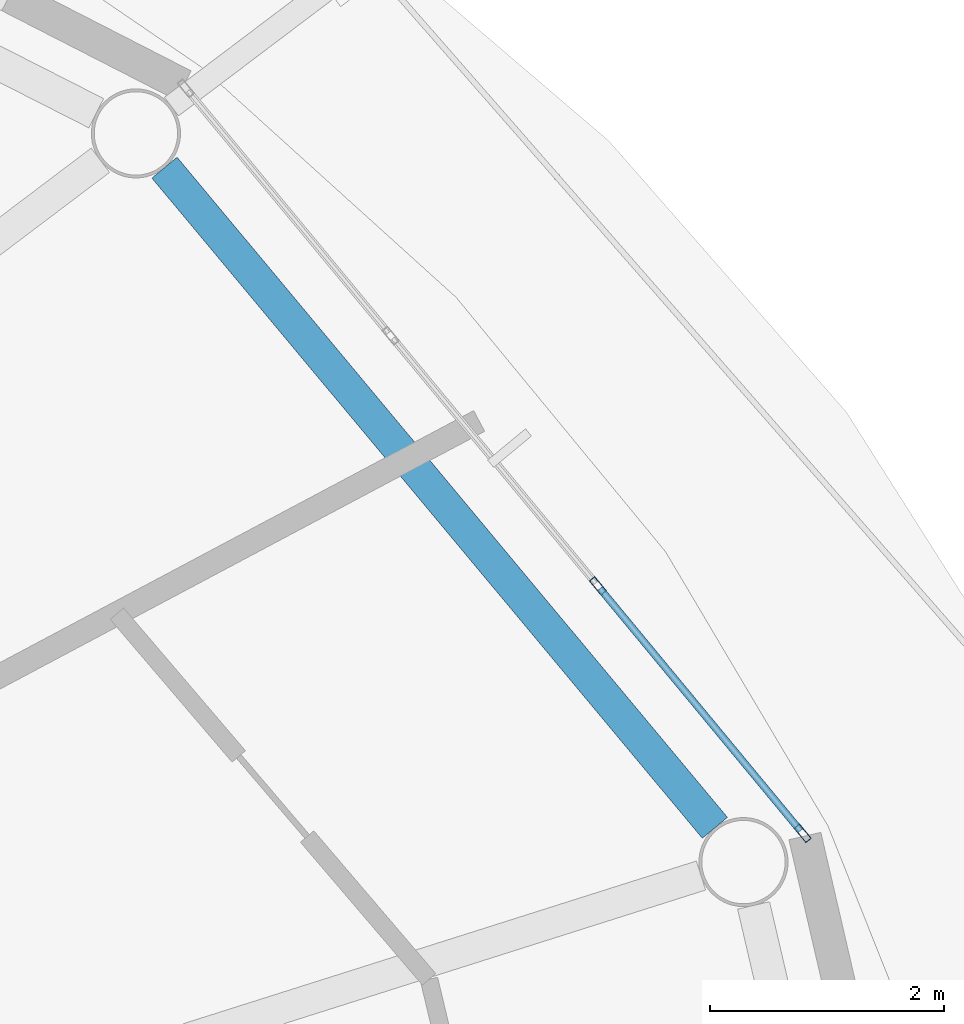
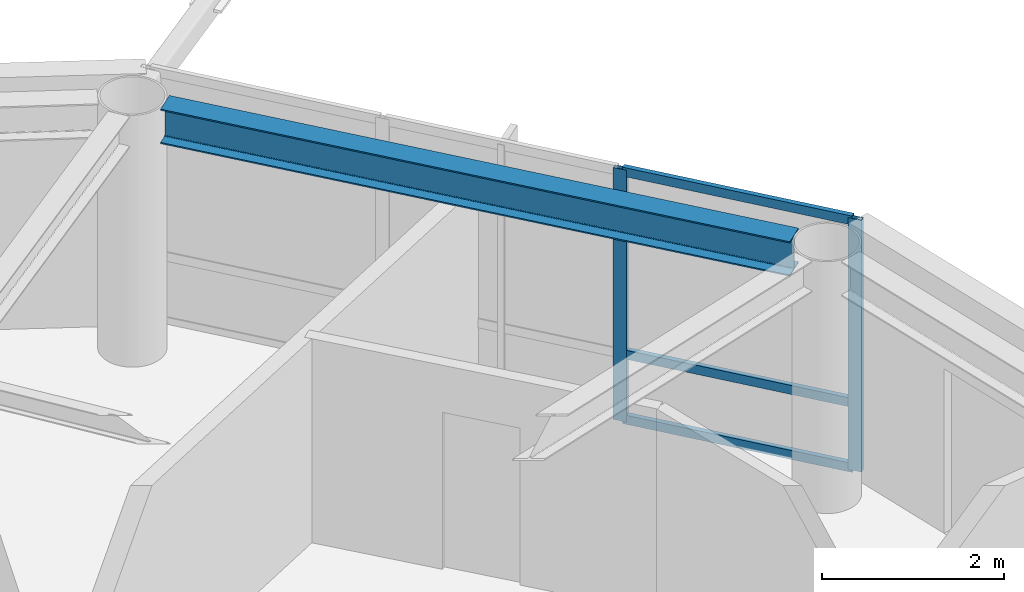
# One storey, part 7 of 22: 5 members, 1 beam, 1 element without a shape of its own.
"""IFC4 building model written with IfcOpenShell, lengths in metres."""

from ifc_helpers import new_model, si_unit, direction, frame, origin, origin_2d, place, context, subcontext, project, spatial, hollow_rectangle, i_section, extrude, material, layer, layer_set, material_profile, profile_set, type_object, element, aggregate, save


model = new_model("IFC4")

# Units and contexts
model_context = context("Model", 3, precision=1e-05, world=origin(), true_north=direction((0.0, 1.0)))
body_context = subcontext(model_context, "Body", "Model", "MODEL_VIEW")
ifc_project = project(units=[si_unit("LENGTHUNIT", "METRE"), si_unit("AREAUNIT", "SQUARE_METRE"), si_unit("VOLUMEUNIT", "CUBIC_METRE"), si_unit("PLANEANGLEUNIT", "RADIAN"), si_unit("MASSUNIT", "GRAM", prefix="KILO")], contexts=[model_context])

# Site, building, storey
site_placement = place(None, origin())
site = spatial("IfcSite", under=ifc_project, at=site_placement, CompositionType="ELEMENT")
building_placement = place(site_placement, origin())
building = spatial("IfcBuilding", under=site, at=building_placement, Name="Sarneth Arch Tower", CompositionType="ELEMENT")
storey_placement = place(building_placement, frame((0.0, 0.0, 283.800048828125)))
storey = spatial("IfcBuildingStorey", under=building, at=storey_placement, Name="L73", CompositionType="ELEMENT", Elevation=283.800048828125)

# Beam
ifc_material_1 = material(Name="Steel S355", Category="steel")
ifc_material_profile_1 = material_profile(ifc_material_1, i_section(OverallWidth=0.280029296875, OverallDepth=0.462890625, WebThickness=0.0107421875, FlangeThickness=0.017333984375, FilletRadius=0.01806640625, at=origin_2d()), Name="W460x113")
ifc_profile_set_1 = profile_set([ifc_material_profile_1], Name="Steel S355")
beam_type = type_object("IfcBeamType", Name="BM-RAD-460A", PredefinedType="BEAM", material=ifc_profile_set_1)
beam_placement = place(storey_placement, frame((70.9248046875, 49.64013671875, 3.138427734375), z_axis=(-0.640377192996, 0.768060577487, 0.0), x_axis=(-0.768060577487, -0.640377192996, 0.0)))
element("IfcBeam", 1, at=beam_placement, inside=storey, type_object=beam_type, Name="L73 Perimeter spandrel beam 02", PredefinedType="BEAM", context=body_context, shape_type="SweptSolid", body=[
    extrude(i_section(OverallWidth=0.280029296875, OverallDepth=0.462890625, WebThickness=0.0107421875, FlangeThickness=0.017333984375, FilletRadius=0.01806640625, at=origin_2d()), origin(), (0.0, 0.0, 1.0), 7.34814453125),
])

# Curtain wall, members
ifc_material_2 = material(Name="Anodised aluminium Type AA25 and solar-control low-e laminated IGU", Category="aluminium")
ifc_layer = layer(ifc_material_2, 0.179931640625)
ifc_layer_set = layer_set([ifc_layer], Name="Anodised aluminium Type AA25 and solar-control low-e laminated IGU")
curtain_wall_type = type_object("IfcCurtainWallType", Name="CW-RES-HIGH", PredefinedType="NOTDEFINED", material=ifc_layer_set)
curtain_wall_placement = place(storey_placement, origin())
curtain_wall = element("IfcCurtainWall", 2, at=curtain_wall_placement, inside=storey, type_object=curtain_wall_type, Name="L73 Unitised curtain wall facet 02", PredefinedType="NOTDEFINED")
ifc_material_3 = material(Name="Anodised Aluminium 6063-T6", Category="aluminium")
ifc_material_profile_2 = material_profile(ifc_material_3, hollow_rectangle(XDim=0.06005859375, YDim=0.159912109375, WallThickness=0.00390625, at=origin_2d()), Name="AL-MULL-160x60x4")
ifc_profile_set_2 = profile_set([ifc_material_profile_2], Name="Anodised Aluminium 6063-T6")
member_type_1 = type_object("IfcMemberType", Name="CW-MULLION", PredefinedType="MULLION", material=ifc_profile_set_2)
member_1_placement = place(storey_placement, frame((71.674560546875, 49.592529296875, 0.0), z_axis=(0.0, 0.0, 1.0), x_axis=(-0.770359245933, -0.637610094184, 0.0)))
member_1 = element("IfcMember", 3, at=member_1_placement, type_object=member_type_1, Name="CW-SYS-6 mullion 1", PredefinedType="MULLION", context=body_context, shape_type="SweptSolid", body=[
    extrude(hollow_rectangle(XDim=0.06005859375, YDim=0.159912109375, WallThickness=0.00390625, at=origin_2d()), origin(), (0.0, 0.0, 1.0), 3.369873046875),
])
member_2_placement = place(storey_placement, frame((69.92333984375, 51.70849609375, 0.0), z_axis=(0.0, 0.0, 1.0), x_axis=(-0.770359245933, -0.637610094184, 0.0)))
member_2 = element("IfcMember", 4, at=member_2_placement, type_object=member_type_1, Name="CW-SYS-6 mullion 2", PredefinedType="MULLION", context=body_context, shape_type="SweptSolid", body=[
    extrude(hollow_rectangle(XDim=0.06005859375, YDim=0.159912109375, WallThickness=0.00390625, at=origin_2d()), origin(), (0.0, 0.0, 1.0), 3.369873046875),
])
ifc_material_4 = material(Name="Anodised Aluminium 6063-T6", Category="aluminium")
ifc_material_profile_3 = material_profile(ifc_material_4, hollow_rectangle(XDim=0.06005859375, YDim=0.1201171875, WallThickness=0.00390625, at=origin_2d()), Name="AL-TRAN-120x60x4")
ifc_profile_set_3 = profile_set([ifc_material_profile_3], Name="Anodised Aluminium 6063-T6")
member_type_2 = type_object("IfcMemberType", Name="CW-TRANSOM", PredefinedType="USERDEFINED", material=ifc_profile_set_3)
member_3_placement = place(storey_placement, frame((71.655517578125, 49.61572265625, 0.030029296875), z_axis=(-0.637651400067, 0.770325056059, 0.0), x_axis=(-0.770325056059, -0.637651400067, 0.0)))
member_3 = element("IfcMember", 5, at=member_3_placement, type_object=member_type_2, Name="CW-SYS-6 transom 1.1", ObjectType="TRANSOM", PredefinedType="USERDEFINED", context=body_context, shape_type="SweptSolid", body=[
    extrude(hollow_rectangle(XDim=0.06005859375, YDim=0.1201171875, WallThickness=0.00390625, at=origin_2d()), origin(), (0.0, 0.0, 1.0), 2.6865234375),
])
member_4_placement = place(storey_placement, frame((71.655517578125, 49.61572265625, 0.89990234375), z_axis=(-0.637651400067, 0.770325056059, 0.0), x_axis=(-0.770325056059, -0.637651400067, 0.0)))
member_4 = element("IfcMember", 6, at=member_4_placement, type_object=member_type_2, Name="CW-SYS-6 transom 1.2", ObjectType="TRANSOM", PredefinedType="USERDEFINED", context=body_context, shape_type="SweptSolid", body=[
    extrude(hollow_rectangle(XDim=0.06005859375, YDim=0.1201171875, WallThickness=0.00390625, at=origin_2d()), origin(), (0.0, 0.0, 1.0), 2.6865234375),
])
member_5_placement = place(storey_placement, frame((71.655517578125, 49.61572265625, 3.33984375), z_axis=(-0.637651400067, 0.770325056059, 0.0), x_axis=(-0.770325056059, -0.637651400067, 0.0)))
member_5 = element("IfcMember", 7, at=member_5_placement, type_object=member_type_2, Name="CW-SYS-6 transom 1.3", ObjectType="TRANSOM", PredefinedType="USERDEFINED", context=body_context, shape_type="SweptSolid", body=[
    extrude(hollow_rectangle(XDim=0.06005859375, YDim=0.1201171875, WallThickness=0.00390625, at=origin_2d()), origin(), (0.0, 0.0, 1.0), 2.6865234375),
])
aggregate(curtain_wall, [member_1, member_2, member_3, member_4, member_5])

save(model, "model.ifc")
